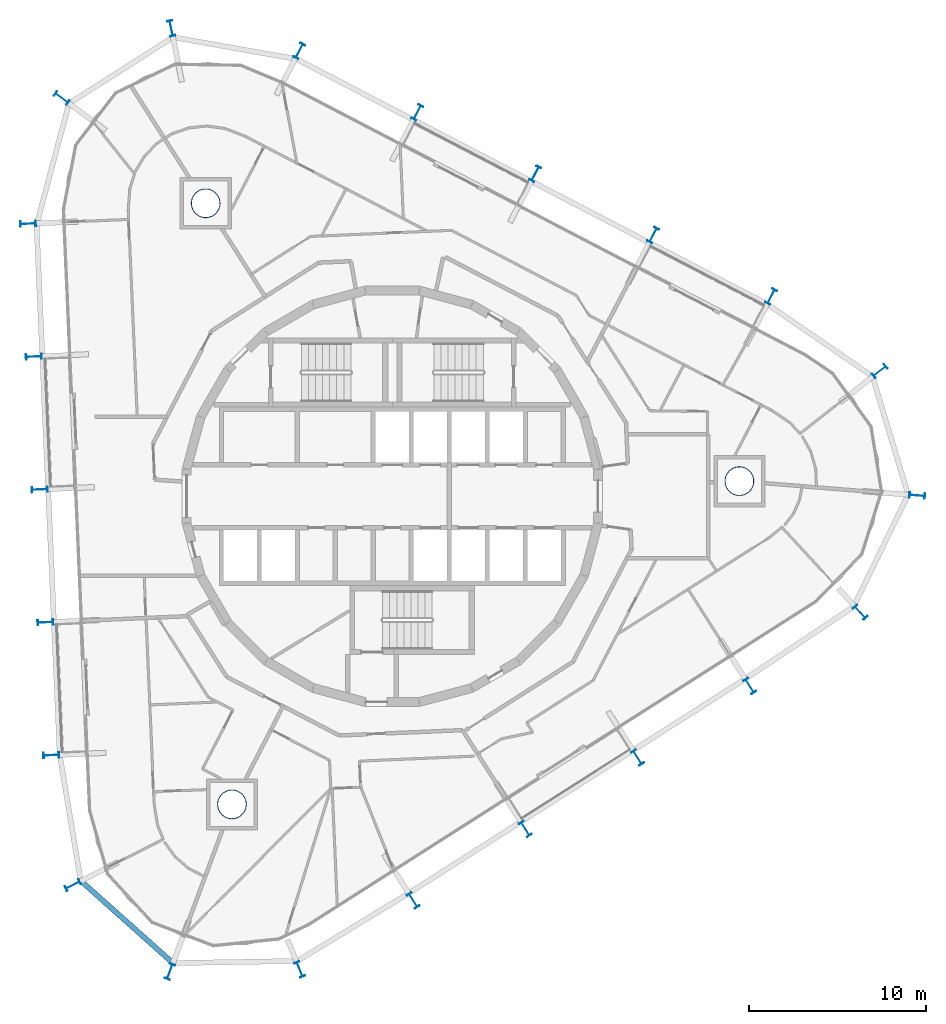
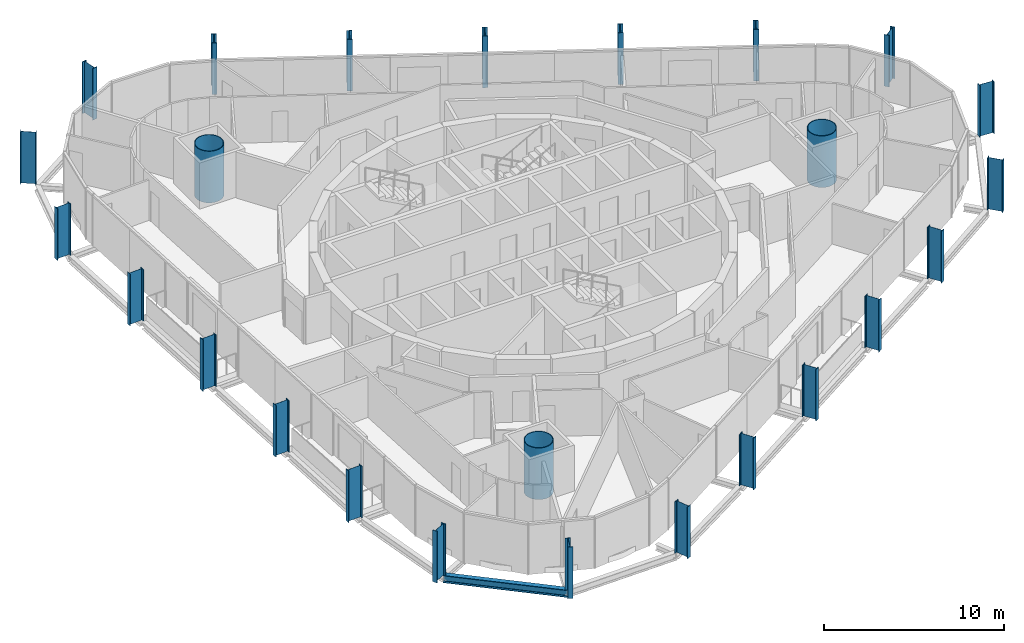
# One storey, part 1 of 17: 25 columns, 1 beam.
"""IFC4 building model written with IfcOpenShell, lengths in metres."""

from ifc_helpers import new_model, si_unit, direction, frame, origin, origin_2d, place, context, subcontext, project, spatial, hollow_circle, i_section, extrude, material, material_profile, profile_set, type_object, element, save


model = new_model("IFC4")

# Units and contexts
model_context = context("Model", 3, precision=1e-05, world=origin(), true_north=direction((0.0, 1.0)))
body_context = subcontext(model_context, "Body", "Model", "MODEL_VIEW")
ifc_project = project(units=[si_unit("LENGTHUNIT", "METRE"), si_unit("AREAUNIT", "SQUARE_METRE"), si_unit("VOLUMEUNIT", "CUBIC_METRE"), si_unit("PLANEANGLEUNIT", "RADIAN"), si_unit("MASSUNIT", "GRAM", prefix="KILO")], contexts=[model_context])

# Site, building, storey
site_placement = place(None, origin())
site = spatial("IfcSite", under=ifc_project, at=site_placement, CompositionType="ELEMENT")
building_placement = place(site_placement, origin())
building = spatial("IfcBuilding", under=site, at=building_placement, Name="Spindle Arch Residences", CompositionType="ELEMENT")
storey_placement = place(building_placement, frame((0.0, 0.0, 244.199951171875)))
storey = spatial("IfcBuildingStorey", under=building, at=storey_placement, Name="L62", CompositionType="ELEMENT", Elevation=244.199951171875)

# Columns
ifc_material_1 = material(Name="Steel S460ML, intumescent coating R 240", Category="steel")
ifc_material_profile_1 = material_profile(ifc_material_1, i_section(OverallWidth=0.300048828125, OverallDepth=0.89990234375, WebThickness=0.0185546875, FlangeThickness=0.034912109375, FilletRadius=0.030029296875, at=origin_2d()), Name="HEB 900")
ifc_profile_set_1 = profile_set([ifc_material_profile_1], Name="Steel S460ML, intumescent coating R 240")
column_type_1 = type_object("IfcColumnType", Name="Exoskeleton post HEB 900", PredefinedType="COLUMN", material=ifc_profile_set_1)
for number, where, z_axis, x_axis, name in (
    (1, (13.885986328125, -14.78955078125, -0.3798828125), (0.0, 0.0, 1.0), (-0.843391139633, -0.537300088953, 0.0), "Exoskeleton post 1"),
    (2, (20.23681640625, -10.74365234375, -0.3798828125), (0.0, 0.0, 1.0), (-0.843391139633, -0.537300088953, 0.0), "Exoskeleton post 2"),
    (3, (26.49462890625, -6.569091796875, -0.3798828125), (0.0, 0.0, 1.0), (-0.735346889002, -0.677690897707, 0.0), "Exoskeleton post 3"),
    (4, (29.71728515625, 0.04443359375, -0.3798828125), (0.0, 0.0, 1.0), (-0.080537962999, -0.996751542018, 0.0), "Exoskeleton post 4"),
    (5, (27.598388671875, 7.089599609375, -0.3798828125), (0.0, 0.0, 1.0), (0.617001797175, -0.786961741308, 0.0), "Exoskeleton post 5"),
    (6, (21.449951171875, 11.3076171875, -0.3798828125), (0.0, 0.0, 1.0), (0.887010710334, -0.461748849216, 0.0), "Exoskeleton post 6"),
    (7, (14.770751953125, 14.784423828125, -0.3798828125), (0.0, 0.0, 1.0), (0.887010710334, -0.461748849216, 0.0), "Exoskeleton post 7"),
    (8, (8.09130859375, 18.261474609375, -0.3798828125), (0.0, 0.0, 1.0), (0.887010710334, -0.461748849216, 0.0), "Exoskeleton post 8"),
    (9, (1.412109375, 21.738525390625, -0.3798828125), (0.0, 0.0, 1.0), (0.887010710334, -0.461748849216, 0.0), "Exoskeleton post 9"),
    (10, (-5.26708984375, 25.215576171875, -0.3798828125), (0.0, 0.0, 1.0), (0.887010710334, -0.461748849216, 0.0), "Exoskeleton post 10"),
    (11, (-12.51953125, 26.498046875, -0.3798828125), (0.0, 0.0, 1.0), (0.981152901053, 0.193232980505, 0.0), "Exoskeleton post 11"),
    (12, (-18.724365234375, 22.545166015625, -0.3798828125), (0.0, 0.0, 1.0), (0.589781110017, 0.807563150637, 0.0), "Exoskeleton post 12"),
    (13, (-20.626953125, 15.43017578125, -0.3798828125), (0.0, 0.0, 1.0), (-0.043619010384, 0.999048238041, 0.0), "Exoskeleton post 13"),
    (14, (-20.298583984375, 7.9072265625, -0.3798828125), (0.0, 0.0, 1.0), (-0.043619010384, 0.999048238041, 0.0), "Exoskeleton post 14"),
    (15, (-19.97021484375, 0.38427734375, -0.3798828125), (0.0, 0.0, 1.0), (-0.043619010384, 0.999048238041, 0.0), "Exoskeleton post 15"),
    (16, (-19.6416015625, -7.138671875, -0.3798828125), (0.0, 0.0, 1.0), (-0.043619010384, 0.999048238041, 0.0), "Exoskeleton post 16"),
    (17, (-19.313232421875, -14.66162109375, -0.3798828125), (0.0, 0.0, 1.0), (-0.043619010384, 0.999048238041, 0.0), "Exoskeleton post 17"),
    (18, (-18.089111328125, -22.016357421875, -0.3798828125), (0.0, 0.0, 1.0), (-0.452473836659, 0.89177767809, 0.0), "Exoskeleton post 18"),
    (19, (-12.599365234375, -26.9140625, -0.3798828125), (0.0, 0.0, 1.0), (-0.937400631219, 0.348252863002, 0.0), "Exoskeleton post 19"),
    (20, (-5.243408203125, -26.78857421875, -0.3798828125), (0.0, 0.0, 1.0), (-0.924967647063, -0.380045854978, 0.0), "Exoskeleton post 20"),
    (21, (1.1845703125, -22.88134765625, -0.3798828125), (0.0, 0.0, 1.0), (-0.843391139633, -0.537300088953, 0.0), "Exoskeleton post 21"),
    (22, (7.535400390625, -18.83544921875, -0.3798828125), (0.0, 0.0, 1.0), (-0.843391139633, -0.537300088953, 0.0), "Exoskeleton post 22"),
):
    element("IfcColumn", number, at=place(storey_placement, frame(where, z_axis=z_axis, x_axis=x_axis)), inside=storey, type_object=column_type_1, Name=name, PredefinedType="COLUMN", context=body_context, shape_type="SweptSolid", body=[
        extrude(i_section(OverallWidth=0.300048828125, OverallDepth=0.89990234375, WebThickness=0.0185546875, FlangeThickness=0.034912109375, FilletRadius=0.030029296875, at=origin_2d()), origin(), (0.0, 0.0, 1.0), 3.5),
    ])
ifc_material_2 = material(Name="Concrete C50/60 filled steel tube S460ML, intumescent coating R 240", Category="concrete")
ifc_material_profile_2 = material_profile(ifc_material_2, hollow_circle(Radius=0.824951171875, WallThickness=0.0400390625, at=origin_2d()), Name="CFT D1650x40")
ifc_profile_set_2 = profile_set([ifc_material_profile_2], Name="Concrete C50/60 filled steel tube S460ML, intumescent coating R 240")
column_type_2 = type_object("IfcColumnType", Name="Mega-column CFT D1650x40", PredefinedType="COLUMN", material=ifc_profile_set_2)
for number, where, z_axis, x_axis, name in (
    (23, (19.64990234375, 0.85791015625, -0.3798828125), (0.0, 0.0, 1.0), (1.0, 0.0, 0.0), "Mega-column 1"),
    (24, (-10.568115234375, 16.58837890625, -0.3798828125), (0.0, 0.0, 1.0), (1.0, 0.0, 0.0), "Mega-column 2"),
    (25, (-9.08203125, -17.4462890625, -0.3798828125), (0.0, 0.0, 1.0), (1.0, 0.0, 0.0), "Mega-column 3"),
):
    element("IfcColumn", number, at=place(storey_placement, frame(where, z_axis=z_axis, x_axis=x_axis)), inside=storey, type_object=column_type_2, Name=name, PredefinedType="COLUMN", context=body_context, shape_type="SweptSolid", body=[
        extrude(hollow_circle(Radius=0.824951171875, WallThickness=0.0400390625, at=origin_2d()), origin(), (0.0, 0.0, 1.0), 3.5),
    ])

# Beam
ifc_material_3 = material(Name="Steel S460ML, intumescent coating R 120", Category="steel")
ifc_material_profile_3 = material_profile(ifc_material_3, i_section(OverallWidth=0.300048828125, OverallDepth=0.5, WebThickness=0.014404296875, FlangeThickness=0.028076171875, FilletRadius=0.027099609375, at=origin_2d()), Name="HEB 500")
ifc_profile_set_3 = profile_set([ifc_material_profile_3], Name="Steel S460ML, intumescent coating R 120")
beam_type = type_object("IfcBeamType", Name="Exoskeleton edge beam HEB 500", PredefinedType="BEAM", material=ifc_profile_set_3)
beam_placement = place(storey_placement, frame((-17.67236328125, -21.74462890625, -0.6298828125), z_axis=(0.746176267139, -0.66574843474, 0.0), x_axis=(0.66574843474, 0.746176267139, 0.0)))
element("IfcBeam", 26, at=beam_placement, inside=storey, type_object=beam_type, Name="Exoskeleton edge beam 18", PredefinedType="BEAM", context=body_context, shape_type="SweptSolid", body=[
    extrude(i_section(OverallWidth=0.300048828125, OverallDepth=0.5, WebThickness=0.014404296875, FlangeThickness=0.028076171875, FilletRadius=0.027099609375, at=origin_2d()), origin(), (0.0, 0.0, 1.0), 7.09716796875),
])

save(model, "model.ifc")
